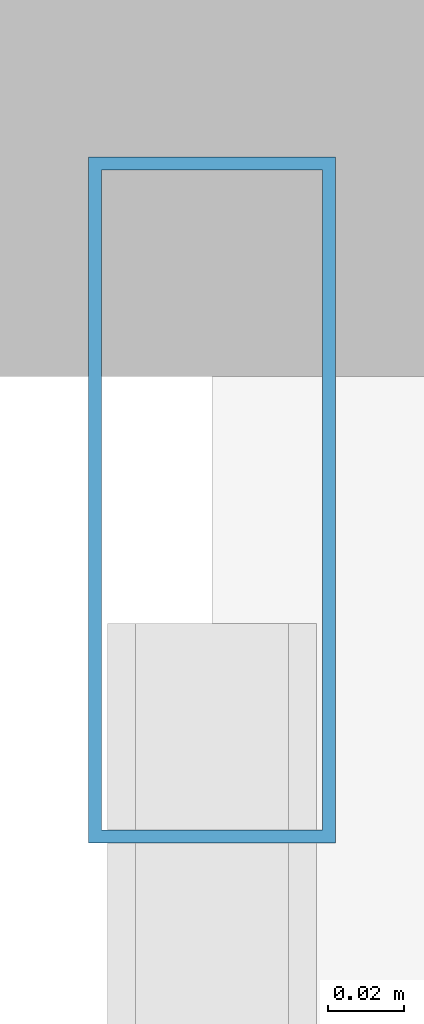
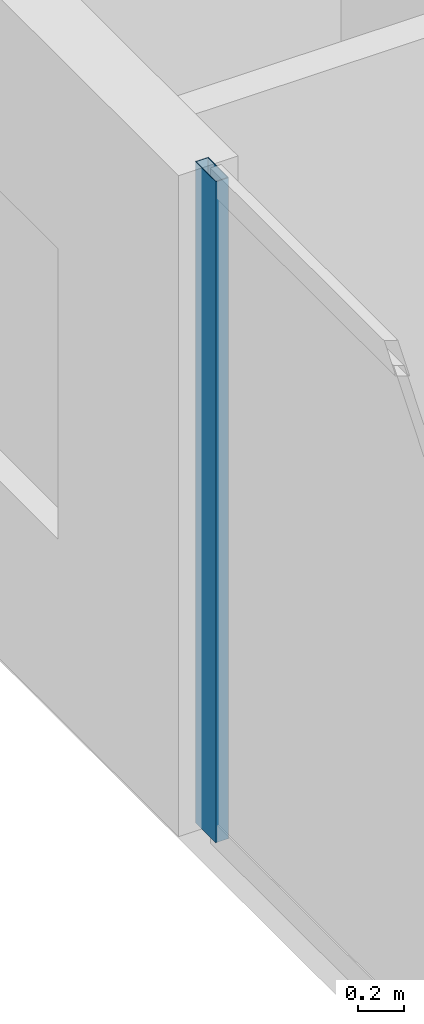
# One storey, part 15 of 32: 1 member, 1 element without a shape of its own.
"""IFC4 building model written with IfcOpenShell, lengths in metres."""

from ifc_helpers import new_model, si_unit, direction, frame, origin, origin_2d, place, context, subcontext, project, spatial, hollow_rectangle, extrude, material, layer, layer_set, material_profile, profile_set, type_object, element, aggregate, save


model = new_model("IFC4")

# Units and contexts
model_context = context("Model", 3, precision=1e-05, world=origin(), true_north=direction((0.0, 1.0)))
body_context = subcontext(model_context, "Body", "Model", "MODEL_VIEW")
ifc_project = project(units=[si_unit("LENGTHUNIT", "METRE"), si_unit("AREAUNIT", "SQUARE_METRE"), si_unit("VOLUMEUNIT", "CUBIC_METRE"), si_unit("PLANEANGLEUNIT", "RADIAN"), si_unit("MASSUNIT", "GRAM", prefix="KILO")], contexts=[model_context])

# Site, building, storey
site_placement = place(None, origin())
site = spatial("IfcSite", under=ifc_project, at=site_placement, CompositionType="ELEMENT")
building_placement = place(site_placement, origin())
building = spatial("IfcBuilding", under=site, at=building_placement, Name="Zuhayl Quay Hotel", CompositionType="ELEMENT")
storey_placement = place(building_placement, frame((0.0, 0.0, 184.89990234375)))
storey = spatial("IfcBuildingStorey", under=building, at=storey_placement, Name="L46", CompositionType="ELEMENT", Elevation=184.89990234375)

# Curtain wall, member
ifc_material_1 = material(Name="Anodised Aluminium 6063-T6", Category="aluminium")
ifc_layer = layer(ifc_material_1, 0.175048828125, Name="Anodised Aluminium 6063-T6", Category="aluminium")
ifc_layer_set = layer_set([ifc_layer], Name="Anodised Aluminium 6063-T6")
curtain_wall_type = type_object("IfcCurtainWallType", Name="CW_SYS_Z3", PredefinedType="USERDEFINED", material=ifc_layer_set)
curtain_wall_placement = place(storey_placement, origin())
curtain_wall = element("IfcCurtainWall", 1, at=curtain_wall_placement, inside=storey, type_object=curtain_wall_type, Name="L46 Curtain Wall ENV_L46_E05_CW1", ObjectType="UNITISED CURTAIN WALL", PredefinedType="USERDEFINED")
ifc_material_2 = material(Name="Black-anodised aluminium 6063-T6", Category="aluminium")
ifc_material_profile = material_profile(ifc_material_2, hollow_rectangle(XDim=0.06494140625, YDim=0.179931640625, WallThickness=0.00341796875, at=origin_2d()), Name="ALU180X65")
ifc_profile_set = profile_set([ifc_material_profile], Name="Black-anodised aluminium 6063-T6")
member_type = type_object("IfcMemberType", Name="MB_CW_MUL_180", PredefinedType="MULLION", material=ifc_profile_set)
member_placement = place(storey_placement, frame((-22.10009765625, 26.367431640625, 0.0), z_axis=(0.0, 0.0, 1.0), x_axis=(-1.0, 0.0, 0.0)))
member = element("IfcMember", 2, at=member_placement, type_object=member_type, Name="CW-Z3 mullion 2", PredefinedType="MULLION", context=body_context, shape_type="SweptSolid", body=[
    extrude(hollow_rectangle(XDim=0.06494140625, YDim=0.179931640625, WallThickness=0.00341796875, at=origin_2d()), origin(), (0.0, 0.0, 1.0), 3.530029296875),
])
aggregate(curtain_wall, [member])

save(model, "model.ifc")
